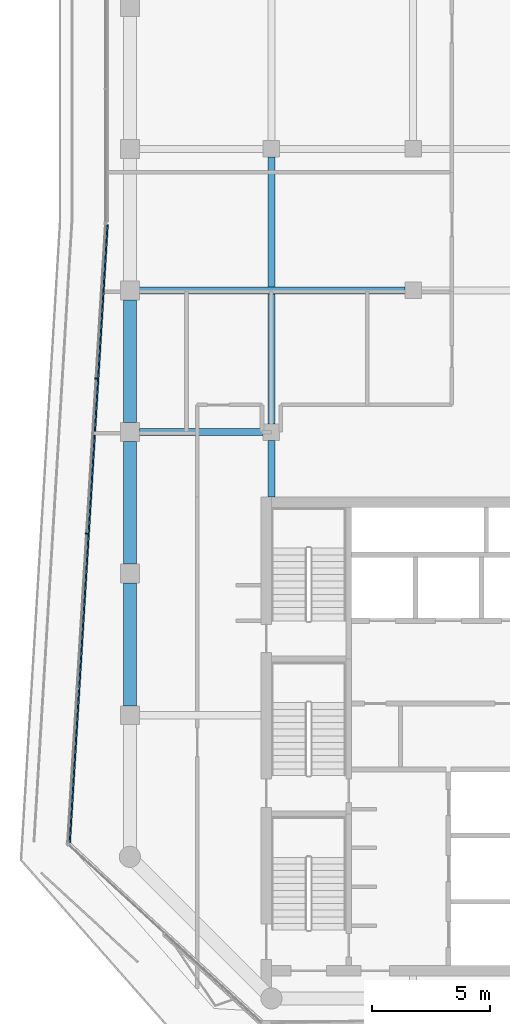
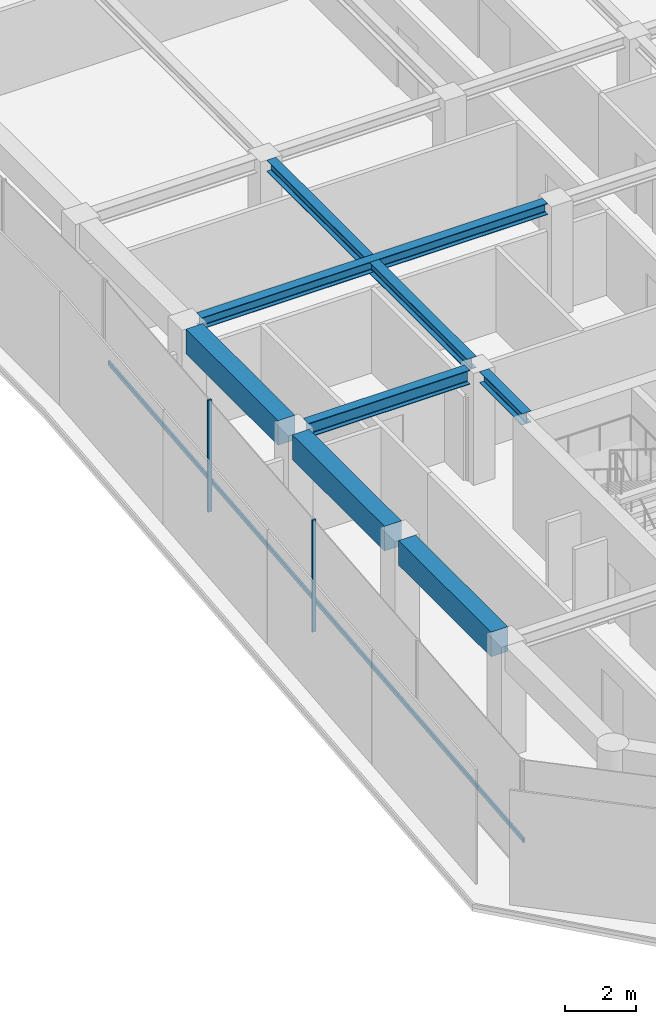
# One storey, part 4 of 19: 7 beams, 3 members, 1 element without a shape of its own.
"""IFC4 building model written with IfcOpenShell, lengths in metres."""

from ifc_helpers import new_model, si_unit, direction, frame, origin, origin_2d, place, context, subcontext, project, spatial, rectangle, i_section, extrude, material, layer, layer_set, material_profile, profile_set, type_object, element, aggregate, save


model = new_model("IFC4")

# Units and contexts
model_context = context("Model", 3, precision=1e-05, world=origin(), true_north=direction((0.0, 1.0)))
body_context = subcontext(model_context, "Body", "Model", "MODEL_VIEW")
ifc_project = project(units=[si_unit("LENGTHUNIT", "METRE"), si_unit("AREAUNIT", "SQUARE_METRE"), si_unit("VOLUMEUNIT", "CUBIC_METRE"), si_unit("PLANEANGLEUNIT", "RADIAN"), si_unit("MASSUNIT", "GRAM", prefix="KILO")], contexts=[model_context])

# Site, building, storey
site_placement = place(None, origin())
site = spatial("IfcSite", under=ifc_project, at=site_placement, CompositionType="ELEMENT")
building_placement = place(site_placement, origin())
building = spatial("IfcBuilding", under=site, at=building_placement, Name="Welwitschia Terrace Campus", CompositionType="ELEMENT")
storey_placement = place(building_placement, frame((0.0, 0.0, 243.199951171875)))
storey = spatial("IfcBuildingStorey", under=building, at=storey_placement, Name="L54", CompositionType="ELEMENT", Elevation=243.199951171875)

# Beams
ifc_material_1 = material(Name="Steel S355", Category="steel")
ifc_material_profile_1 = material_profile(ifc_material_1, i_section(OverallWidth=0.300048828125, OverallDepth=0.389892578125, WebThickness=0.010986328125, FlangeThickness=0.01904296875, FilletRadius=0.027099609375, at=origin_2d()))
ifc_profile_set_1 = profile_set([ifc_material_profile_1], Name="Steel S355")
beam_type_1 = type_object("IfcBeamType", Name="Interior girder HE 400 A", PredefinedType="BEAM", material=ifc_profile_set_1)
beam_1_placement = place(storey_placement, frame((0.390380859375, 34.0, 3.655029296875), z_axis=(1.0, 0.0, 0.0), x_axis=(0.0, 1.0, 0.0)))
element("IfcBeam", 1, at=beam_1_placement, inside=storey, type_object=beam_type_1, Name="Girder GB5", PredefinedType="BEAM", context=body_context, shape_type="SweptSolid", body=[
    extrude(i_section(OverallWidth=0.300048828125, OverallDepth=0.389892578125, WebThickness=0.010986328125, FlangeThickness=0.01904296875, FilletRadius=0.027099609375, at=origin_2d()), origin(), (0.0, 0.0, 1.0), 11.259033203125),
])
beam_2_placement = place(storey_placement, frame((6.0, 25.2509765625, 3.655029296875), z_axis=(0.0, 1.0, 0.0), x_axis=(-1.0, 0.0, 0.0)))
element("IfcBeam", 2, at=beam_2_placement, inside=storey, type_object=beam_type_1, Name="Girder GB5", PredefinedType="BEAM", context=body_context, shape_type="SweptSolid", body=[
    extrude(i_section(OverallWidth=0.300048828125, OverallDepth=0.389892578125, WebThickness=0.010986328125, FlangeThickness=0.01904296875, FilletRadius=0.027099609375, at=origin_2d()), origin(), (0.0, 0.0, 1.0), 2.3984375),
])
beam_3_placement = place(storey_placement, frame((6.0, 28.3505859375, 3.655029296875), z_axis=(0.0, 1.0, 0.0), x_axis=(-1.0, 0.0, 0.0)))
element("IfcBeam", 3, at=beam_3_placement, inside=storey, type_object=beam_type_1, Name="Girder GB5", PredefinedType="BEAM", context=body_context, shape_type="SweptSolid", body=[
    extrude(i_section(OverallWidth=0.300048828125, OverallDepth=0.389892578125, WebThickness=0.010986328125, FlangeThickness=0.01904296875, FilletRadius=0.027099609375, at=origin_2d()), origin(), (0.0, 0.0, 1.0), 11.298828125),
])

# Curtain wall, members
ifc_material_2 = material(Name="Bronze anodised aluminium", Category="aluminium")
ifc_layer = layer(ifc_material_2, 0.1201171875)
ifc_layer_set = layer_set([ifc_layer], Name="Bronze anodised aluminium")
curtain_wall_type = type_object("IfcCurtainWallType", Name="Curtain wall CW2 tower 6000", PredefinedType="NOTDEFINED", material=ifc_layer_set)
curtain_wall_placement = place(storey_placement, origin())
curtain_wall = element("IfcCurtainWall", 4, at=curtain_wall_placement, inside=storey, type_object=curtain_wall_type, Name="CW L54.0.0", PredefinedType="NOTDEFINED")
ifc_material_3 = material(Name="Bronze anodised aluminium", Category="aluminium")
ifc_material_profile_2 = material_profile(ifc_material_3, rectangle(XDim=0.1201171875, YDim=0.06005859375, at=origin_2d()))
ifc_profile_set_2 = profile_set([ifc_material_profile_2], Name="Bronze anodised aluminium")
member_type_1 = type_object("IfcMemberType", Name="Mullion 60x120", PredefinedType="MULLION", material=ifc_profile_set_2)
member_1_placement = place(storey_placement, frame((-1.432373046875, 30.269775390625, 0.0), z_axis=(0.0, 0.0, 1.0), x_axis=(0.998134798422, -0.061048539535, 0.0)))
member_1 = element("IfcMember", 5, at=member_1_placement, type_object=member_type_1, Name="Mullion L54.0.0.1", PredefinedType="MULLION", context=body_context, shape_type="SweptSolid", body=[
    extrude(rectangle(XDim=0.1201171875, YDim=0.06005859375, at=origin_2d()), origin(), (0.0, 0.0, 1.0), 3.85009765625),
])
member_2_placement = place(storey_placement, frame((-1.83447265625, 23.69287109375, 0.0), z_axis=(0.0, 0.0, 1.0), x_axis=(0.998134798422, -0.061048539535, 0.0)))
member_2 = element("IfcMember", 6, at=member_2_placement, type_object=member_type_1, Name="Mullion L54.0.0.2", PredefinedType="MULLION", context=body_context, shape_type="SweptSolid", body=[
    extrude(rectangle(XDim=0.1201171875, YDim=0.06005859375, at=origin_2d()), origin(), (0.0, 0.0, 1.0), 3.85009765625),
])

# Beams
ifc_material_4 = material(Name="Steel S355", Category="steel")
ifc_material_profile_3 = material_profile(ifc_material_4, i_section(OverallWidth=0.300048828125, OverallDepth=0.489990234375, WebThickness=0.011962890625, FlangeThickness=0.02294921875, FilletRadius=0.027099609375, at=origin_2d()))
ifc_profile_set_3 = profile_set([ifc_material_profile_3], Name="Steel S355")
beam_type_2 = type_object("IfcBeamType", Name="Primary beam HE 500 A", PredefinedType="BEAM", material=ifc_profile_set_3)
beam_4_placement = place(storey_placement, frame((0.400390625, 28.0, 3.60498046875), z_axis=(1.0, 0.0, 0.0), x_axis=(0.0, 1.0, 0.0)))
element("IfcBeam", 7, at=beam_4_placement, inside=storey, type_object=beam_type_2, Name="Primary beam PB5", PredefinedType="BEAM", context=body_context, shape_type="SweptSolid", body=[
    extrude(i_section(OverallWidth=0.300048828125, OverallDepth=0.489990234375, WebThickness=0.011962890625, FlangeThickness=0.02294921875, FilletRadius=0.027099609375, at=origin_2d()), origin(), (0.0, 0.0, 1.0), 5.2490234375),
])
ifc_material_5 = material(Name="Concrete C50/60", Category="concrete")
ifc_material_profile_4 = material_profile(ifc_material_5, rectangle(XDim=0.550048828125, YDim=0.85009765625, at=origin_2d()))
ifc_profile_set_4 = profile_set([ifc_material_profile_4], Name="Concrete C50/60")
beam_type_3 = type_object("IfcBeamType", Name="Ring spandrel 550x850", PredefinedType="SPANDREL", material=ifc_profile_set_4)
for number, where, z_axis, x_axis, name in (
    (8, (0.0, 33.599609375, 3.425048828125), (0.0, -1.0, 0.0), (1.0, 0.0, 0.0), "Spandrel SP3"),
    (9, (0.0, 27.599609375, 3.425048828125), (0.0, -1.0, 0.0), (1.0, 0.0, 0.0), "Spandrel SP3"),
    (10, (0.0, 21.599609375, 3.425048828125), (0.0, -1.0, 0.0), (1.0, 0.0, 0.0), "Spandrel SP3"),
):
    element("IfcBeam", number, at=place(storey_placement, frame(where, z_axis=z_axis, x_axis=x_axis)), inside=storey, type_object=beam_type_3, Name=name, PredefinedType="SPANDREL", context=body_context, shape_type="SweptSolid", body=[
        extrude(rectangle(XDim=0.550048828125, YDim=0.85009765625, at=origin_2d()), origin(), (0.0, 0.0, 1.0), 5.19921875),
    ])

# Member
ifc_material_6 = material(Name="Bronze anodised aluminium", Category="aluminium")
ifc_material_profile_5 = material_profile(ifc_material_6, rectangle(XDim=0.06005859375, YDim=0.14990234375, at=origin_2d()))
ifc_profile_set_5 = profile_set([ifc_material_profile_5], Name="Bronze anodised aluminium")
member_type_2 = type_object("IfcMemberType", Name="Transom 60x150", PredefinedType="USERDEFINED", material=ifc_profile_set_5)
member_3_placement = place(storey_placement, frame((-0.94384765625, 36.781005859375, 1.0), z_axis=(-0.061044032759, -0.998135074058, 0.0), x_axis=(0.998135074058, -0.061044032759, 0.0)))
member_3 = element("IfcMember", 11, at=member_3_placement, type_object=member_type_2, Name="Transom L54.0.0", ObjectType="TRANSOM", PredefinedType="USERDEFINED", context=body_context, shape_type="SweptSolid", body=[
    extrude(rectangle(XDim=0.06005859375, YDim=0.14990234375, at=origin_2d()), origin(), (0.0, 0.0, 1.0), 26.236083984375),
])

aggregate(curtain_wall, [member_1, member_2, member_3])

save(model, "model.ifc")
